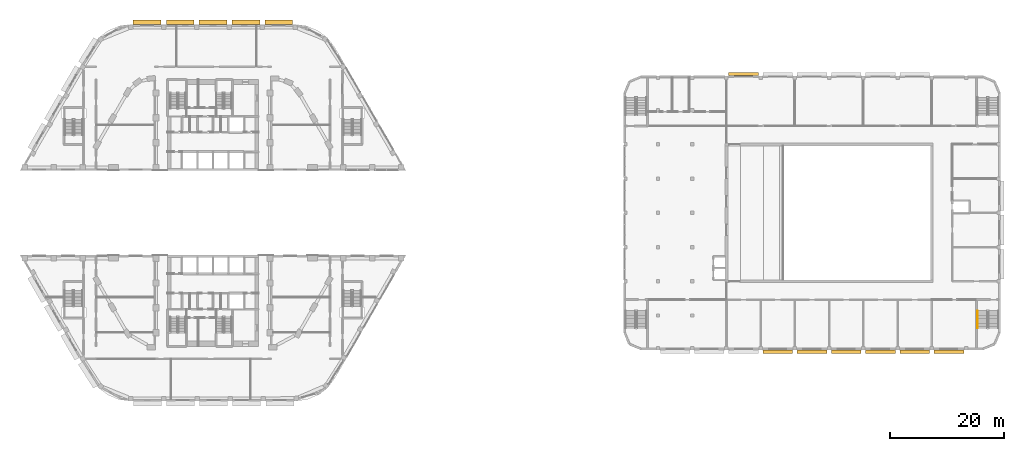
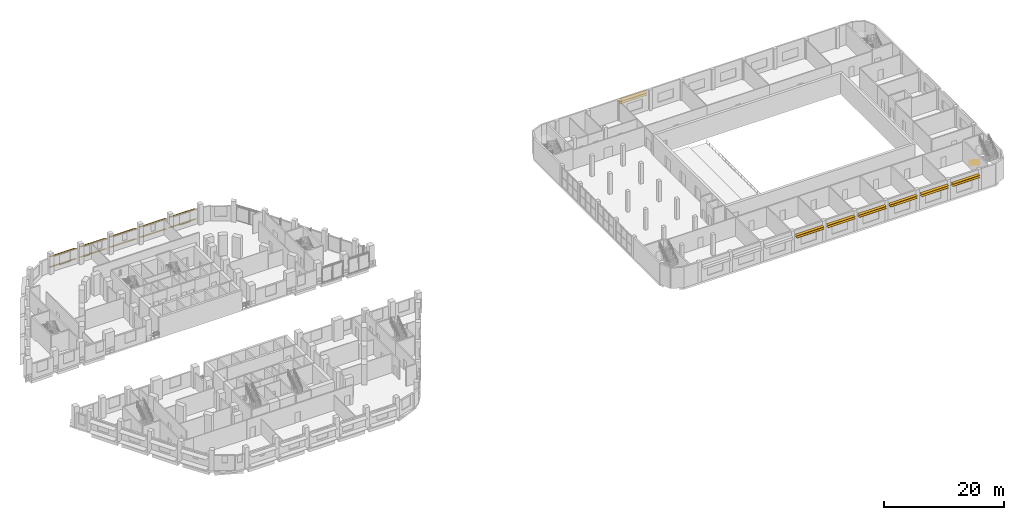
# One storey, part 42 of 45: 24 shading devices, 1 railing.
"""IFC4 building model written with IfcOpenShell, lengths in metres."""

from ifc_helpers import new_model, si_unit, direction, frame, origin, origin_2d, place, context, subcontext, project, spatial, rectangle, circle, extrude, material, material_profile, profile_set, type_object, element, save


model = new_model("IFC4")

# Units and contexts
model_context = context("Model", 3, precision=1e-05, world=origin(), true_north=direction((0.0, 1.0)))
body_context = subcontext(model_context, "Body", "Model", "MODEL_VIEW")
ifc_project = project(units=[si_unit("LENGTHUNIT", "METRE"), si_unit("AREAUNIT", "SQUARE_METRE"), si_unit("VOLUMEUNIT", "CUBIC_METRE"), si_unit("PLANEANGLEUNIT", "RADIAN"), si_unit("MASSUNIT", "GRAM", prefix="KILO")], contexts=[model_context])

# Site, building, storey
site_placement = place(None, origin())
site = spatial("IfcSite", under=ifc_project, at=site_placement, CompositionType="ELEMENT")
building_placement = place(site_placement, origin())
building = spatial("IfcBuilding", under=site, at=building_placement, Name="Nakaniwa Court", CompositionType="ELEMENT")
storey_placement = place(building_placement, frame((0.0, 0.0, 11.39990234375)))
storey = spatial("IfcBuildingStorey", under=building, at=storey_placement, Name="L02", CompositionType="ELEMENT", Elevation=11.39990234375)

# Shading devices
ifc_material_1 = material(Name="Perforated charcoal ceramic louvre blade")
ifc_material_profile_1 = material_profile(ifc_material_1, rectangle(XDim=0.60009765625, YDim=0.050048828125, at=origin_2d()), Name="Hall perforated ceramic louvre blade")
ifc_profile_set_1 = profile_set([ifc_material_profile_1], Name="Perforated charcoal ceramic louvre blade")
shading_device_type_1 = type_object("IfcShadingDeviceType", Name="Hall perforated ceramic louvre blade", PredefinedType="JALOUSIE", material=ifc_profile_set_1)
for number, where, z_axis, x_axis, name in (
    (1, (170.39990234375, 104.332275390625, 3.0), (1.0, 0.0, 0.0), (0.0, 0.866025403784, 0.5), "Louvre blade L02 013.1"),
    (2, (170.39990234375, 104.332275390625, 3.4501953125), (1.0, 0.0, 0.0), (0.0, 0.866025403784, 0.5), "Louvre blade L02 013.2"),
    (3, (211.60009765625, 55.639892578125, 3.0), (-1.0, 0.0, 0.0), (0.0, -1.0, 0.0), "Louvre blade L02 032.1"),
    (4, (211.60009765625, 55.639892578125, 3.4501953125), (-1.0, 0.0, 0.0), (0.0, -1.0, 0.0), "Louvre blade L02 032.2"),
    (5, (205.60009765625, 55.639892578125, 3.0), (-1.0, 0.0, 0.0), (0.0, -1.0, 0.0), "Louvre blade L02 033.1"),
    (6, (205.60009765625, 55.639892578125, 3.4501953125), (-1.0, 0.0, 0.0), (0.0, -1.0, 0.0), "Louvre blade L02 033.2"),
    (7, (199.60009765625, 55.639892578125, 3.0), (-1.0, 0.0, 0.0), (0.0, -1.0, 0.0), "Louvre blade L02 034.1"),
    (8, (199.60009765625, 55.639892578125, 3.4501953125), (-1.0, 0.0, 0.0), (0.0, -1.0, 0.0), "Louvre blade L02 034.2"),
    (9, (193.60009765625, 55.639892578125, 3.0), (-1.0, 0.0, 0.0), (0.0, -1.0, 0.0), "Louvre blade L02 035.1"),
    (10, (193.60009765625, 55.639892578125, 3.4501953125), (-1.0, 0.0, 0.0), (0.0, -1.0, 0.0), "Louvre blade L02 035.2"),
    (11, (187.60009765625, 55.639892578125, 3.0), (-1.0, 0.0, 0.0), (0.0, -1.0, 0.0), "Louvre blade L02 036.1"),
    (12, (187.60009765625, 55.639892578125, 3.4501953125), (-1.0, 0.0, 0.0), (0.0, -1.0, 0.0), "Louvre blade L02 036.2"),
    (13, (181.60009765625, 55.639892578125, 3.0), (-1.0, 0.0, 0.0), (0.0, -1.0, 0.0), "Louvre blade L02 037.1"),
    (14, (181.60009765625, 55.639892578125, 3.4501953125), (-1.0, 0.0, 0.0), (0.0, -1.0, 0.0), "Louvre blade L02 037.2"),
):
    element("IfcShadingDevice", number, at=place(storey_placement, frame(where, z_axis=z_axis, x_axis=x_axis)), inside=storey, type_object=shading_device_type_1, Name=name, PredefinedType="JALOUSIE", context=body_context, shape_type="SweptSolid", body=[
        extrude(rectangle(XDim=0.60009765625, YDim=0.050048828125, at=origin_2d()), origin(), (0.0, 0.0, 1.0), 5.2001953125),
    ])

# Railing
ifc_material_2 = material(Name="Brushed stainless steel handrail Grade 304", Category="steel")
railing_type = type_object("IfcRailingType", Name="Hall stair handrail 900", PredefinedType="HANDRAIL", material=ifc_material_2)
railing_placement = place(storey_placement, frame((214.0, 62.860107421875, 0.175048828125)))
element("IfcRailing", 15, at=railing_placement, inside=storey, type_object=railing_type, Name="L02 ST-H3 stair handrail 1", PredefinedType="HANDRAIL", context=body_context, shape_type="SweptSolid", body=[
    extrude(circle(Radius=0.02392578125, at=origin_2d()), frame((0.0, 0.0, 0.8759765625), z_axis=(0.0, -0.847998304005, 0.529998940003), x_axis=(1.0, 0.0, 0.0)), (0.0, 0.0, 1.0), 3.632080078125),
    extrude(circle(Radius=0.02099609375, at=origin_2d()), origin(), (0.0, 0.0, 1.0), 0.851806640625),
    extrude(circle(Radius=0.02099609375, at=origin_2d()), frame((0.0, -0.77001953125, 0.481201171875)), (0.0, 0.0, 1.0), 0.851806640625),
    extrude(circle(Radius=0.02099609375, at=origin_2d()), frame((0.0, -1.5400390625, 0.96240234375)), (0.0, 0.0, 1.0), 0.851806640625),
    extrude(circle(Radius=0.02099609375, at=origin_2d()), frame((0.0, -2.31005859375, 1.44384765625)), (0.0, 0.0, 1.0), 0.851806640625),
    extrude(circle(Radius=0.02099609375, at=origin_2d()), frame((0.0, -3.080078125, 1.925048828125)), (0.0, 0.0, 1.0), 0.851806640625),
])

# Shading devices
ifc_material_profile_2 = material_profile(ifc_material_1, rectangle(XDim=0.89990234375, YDim=0.050048828125, at=origin_2d()), Name="Perforated ceramic louvre blade")
ifc_profile_set_2 = profile_set([ifc_material_profile_2], Name="Perforated charcoal ceramic louvre blade")
shading_device_type_2 = type_object("IfcShadingDeviceType", Name="Perforated ceramic louvre blade", PredefinedType="JALOUSIE", material=ifc_profile_set_2)
for number, where, z_axis, x_axis, name in (
    (16, (93.958251953125, 113.402099609375, 0.550048828125), (-1.0, 0.0, 0.0), (0.0, -0.866025403784, 0.5), "L02 perforated ceramic louvre blade w46 1"),
    (17, (93.958251953125, 113.402099609375, 2.650146484375), (-1.0, 0.0, 0.0), (0.0, -0.866025403784, 0.5), "L02 perforated ceramic louvre blade w46 2"),
    (18, (88.196533203125, 113.402099609375, 0.550048828125), (-1.0, 0.0, 0.0), (0.0, -0.866025403784, 0.5), "L02 perforated ceramic louvre blade w47 1"),
    (19, (88.196533203125, 113.402099609375, 2.650146484375), (-1.0, 0.0, 0.0), (0.0, -0.866025403784, 0.5), "L02 perforated ceramic louvre blade w47 2"),
    (20, (82.434814453125, 113.402099609375, 0.550048828125), (-1.0, 0.0, 0.0), (0.0, -0.866025403784, 0.5), "L02 perforated ceramic louvre blade w48 1"),
    (21, (82.434814453125, 113.402099609375, 2.650146484375), (-1.0, 0.0, 0.0), (0.0, -0.866025403784, 0.5), "L02 perforated ceramic louvre blade w48 2"),
    (22, (76.673095703125, 113.402099609375, 0.550048828125), (-1.0, 0.0, 0.0), (0.0, -0.866025403784, 0.5), "L02 perforated ceramic louvre blade w49 1"),
    (23, (76.673095703125, 113.402099609375, 2.650146484375), (-1.0, 0.0, 0.0), (0.0, -0.866025403784, 0.5), "L02 perforated ceramic louvre blade w49 2"),
):
    element("IfcShadingDevice", number, at=place(storey_placement, frame(where, z_axis=z_axis, x_axis=x_axis)), inside=storey, type_object=shading_device_type_2, Name=name, PredefinedType="JALOUSIE", context=body_context, shape_type="SweptSolid", body=[
        extrude(rectangle(XDim=0.89990234375, YDim=0.050048828125, at=origin_2d()), origin(), (0.0, 0.0, 1.0), 4.86962890625),
    ])
for number, where, z_axis, x_axis, name in (
    (24, (70.911376953125, 113.402099609375, 0.550048828125), (-1.0, 0.0, 0.0), (0.0, -0.866025403784, 0.5), "L02 perforated ceramic louvre blade w50 1"),
    (25, (70.911376953125, 113.402099609375, 2.650146484375), (-1.0, 0.0, 0.0), (0.0, -0.866025403784, 0.5), "L02 perforated ceramic louvre blade w50 2"),
):
    element("IfcShadingDevice", number, at=place(storey_placement, frame(where, z_axis=z_axis, x_axis=x_axis)), inside=storey, type_object=shading_device_type_2, Name=name, PredefinedType="JALOUSIE", context=body_context, shape_type="SweptSolid", body=[
        extrude(rectangle(XDim=0.89990234375, YDim=0.050048828125, at=origin_2d()), origin(), (0.0, 0.0, 1.0), 4.90576171875),
    ])

save(model, "model.ifc")
